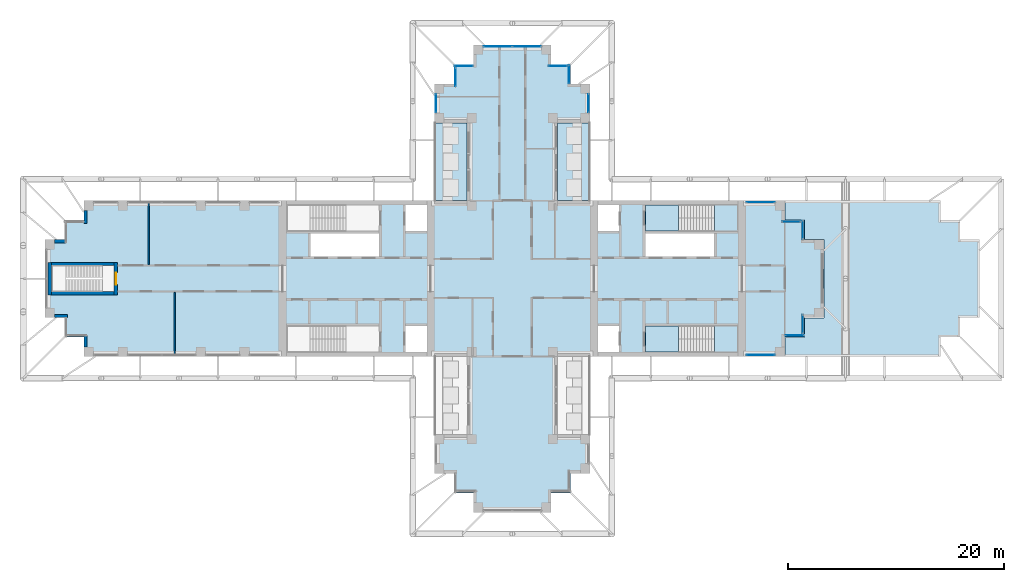
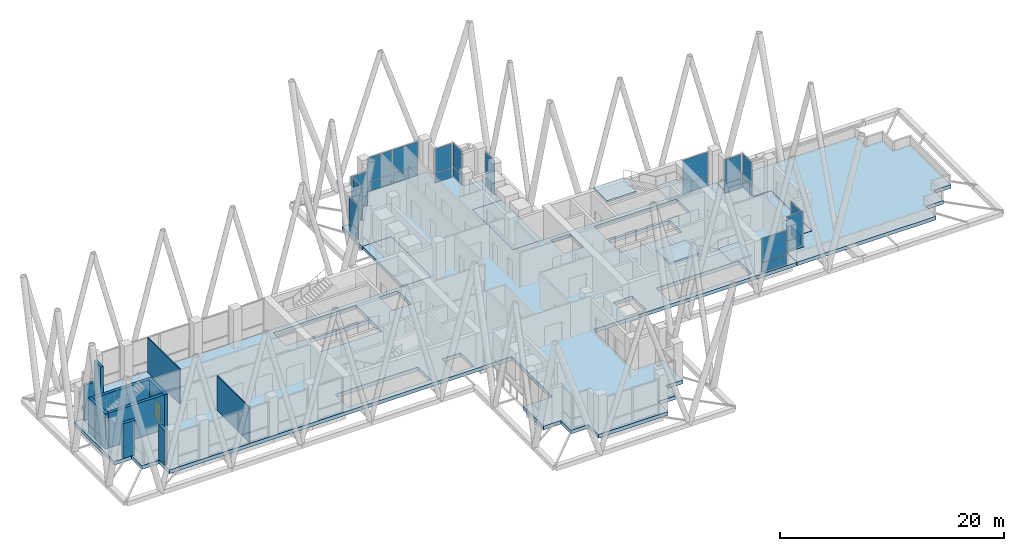
# One storey, part 10 of 19: 28 plates, 10 walls, 8 slabs, 1 door, 1 opening, 15 elements without a shape of their own.
"""IFC4 building model written with IfcOpenShell, lengths in metres."""

from ifc_helpers import new_model, si_unit, direction, frame, frame_2d, origin, origin_2d, place, context, subcontext, project, spatial, polyline, rectangle, outline, extrude, material, layer, layer_set, type_object, element, fill, aggregate, save


model = new_model("IFC4")

# Units and contexts
model_context = context("Model", 3, precision=1e-05, world=origin(), true_north=direction((0.0, 1.0)))
body_context = subcontext(model_context, "Body", "Model", "MODEL_VIEW")
ifc_project = project(units=[si_unit("LENGTHUNIT", "METRE"), si_unit("AREAUNIT", "SQUARE_METRE"), si_unit("VOLUMEUNIT", "CUBIC_METRE"), si_unit("PLANEANGLEUNIT", "RADIAN"), si_unit("MASSUNIT", "GRAM", prefix="KILO")], contexts=[model_context])

# Site, building, storey
site_placement = place(None, origin())
site = spatial("IfcSite", under=ifc_project, at=site_placement, CompositionType="ELEMENT")
building_placement = place(site_placement, origin())
building = spatial("IfcBuilding", under=site, at=building_placement, Name="Fustian Cross Tower", CompositionType="ELEMENT")
storey_placement = place(building_placement, frame((0.0, 0.0, 166.5)))
storey = spatial("IfcBuildingStorey", under=building, at=storey_placement, Name="L52", CompositionType="ELEMENT", Elevation=166.5)

# Slabs
ifc_material_1 = material(Name="Concrete C40/50", Category="concrete")
ifc_layer_1 = layer(ifc_material_1, 0.300048828125)
ifc_layer_set_1 = layer_set([ifc_layer_1], Name="Concrete C40/50")
slab_type_1 = type_object("IfcSlabType", Name="BS1 BALCONY SLAB 300", PredefinedType="FLOOR", material=ifc_layer_set_1)
slab_1_placement = place(storey_placement, frame((0.0, 0.0, -0.300048828125)))
element("IfcSlab", 1, at=slab_1_placement, inside=storey, type_object=slab_type_1, Name="Balcony slab", PredefinedType="FLOOR", context=body_context, shape_type="SweptSolid", body=[
    extrude(outline(polyline([(4.199951171875, 7.199951171875), (7.199951171875, 7.199951171875), (7.199951171875, 14.39990234375), (4.199951171875, 14.39990234375), (4.199951171875, 7.199951171875)])), origin(), (0.0, 0.0, 1.0), 0.300048828125),
])
slab_2_placement = place(storey_placement, frame((0.0, 0.0, -0.300048828125)))
element("IfcSlab", 2, at=slab_2_placement, inside=storey, type_object=slab_type_1, Name="Balcony slab", PredefinedType="FLOOR", context=body_context, shape_type="SweptSolid", body=[
    extrude(outline(polyline([(-7.199951171875, 7.199951171875), (-4.199951171875, 7.199951171875), (-4.199951171875, 14.39990234375), (-7.199951171875, 14.39990234375), (-7.199951171875, 7.199951171875)])), origin(), (0.0, 0.0, 1.0), 0.300048828125),
])

# Curtain wall, plates
ifc_material_2 = material(Name="Dark anodised aluminium and double glazing", Category="aluminium")
curtain_wall_type = type_object("IfcCurtainWallType", Name="CW1 LOUNGE CURTAIN WALL", PredefinedType="NOTDEFINED", material=ifc_material_2)
curtain_wall_1_placement = place(storey_placement, origin())
curtain_wall_1 = element("IfcCurtainWall", 3, at=curtain_wall_1_placement, inside=storey, type_object=curtain_wall_type, Name="Curtain wall", PredefinedType="NOTDEFINED")
ifc_material_3 = material(Name="Double glazed unit")
ifc_layer_2 = layer(ifc_material_3, 0.028076171875)
ifc_layer_set_2 = layer_set([ifc_layer_2], Name="Double glazed unit")
plate_type = type_object("IfcPlateType", Name="CW1 PANEL IGU 28", PredefinedType="CURTAIN_PANEL", material=ifc_layer_set_2)
plate_1_placement = place(storey_placement, frame((22.949951171875, -7.050048828125, 0.06005859375), z_axis=(0.0, 0.0, 1.0), x_axis=(1.0, 0.0, 0.0)))
plate_1 = element("IfcPlate", 4, at=plate_1_placement, type_object=plate_type, Name="CW1 panel 1.1", PredefinedType="CURTAIN_PANEL", context=body_context, shape_type="SweptSolid", body=[
    extrude(rectangle(XDim=2.580078125, YDim=0.028076171875, at=origin_2d()), origin(), (0.0, 0.0, 1.0), 1.010009765625),
])
plate_2_placement = place(storey_placement, frame((22.949951171875, -7.050048828125, 1.1298828125), z_axis=(0.0, 0.0, 1.0), x_axis=(1.0, 0.0, 0.0)))
plate_2 = element("IfcPlate", 5, at=plate_2_placement, type_object=plate_type, Name="CW1 panel 1.2", PredefinedType="CURTAIN_PANEL", context=body_context, shape_type="SweptSolid", body=[
    extrude(rectangle(XDim=2.580078125, YDim=0.028076171875, at=origin_2d()), origin(), (0.0, 0.0, 1.0), 2.610107421875),
])
aggregate(curtain_wall_1, [plate_1, plate_2])

curtain_wall_2_placement = place(storey_placement, origin())
curtain_wall_2 = element("IfcCurtainWall", 6, at=curtain_wall_2_placement, inside=storey, type_object=curtain_wall_type, Name="Curtain wall", PredefinedType="NOTDEFINED")
plate_3_placement = place(storey_placement, frame((26.10009765625, -5.25, 0.06005859375), z_axis=(0.0, 0.0, 1.0), x_axis=(1.0, 0.0, 0.0)))
plate_3 = element("IfcPlate", 7, at=plate_3_placement, type_object=plate_type, Name="CW1 panel 1.1", PredefinedType="CURTAIN_PANEL", context=body_context, shape_type="SweptSolid", body=[
    extrude(rectangle(XDim=1.679931640625, YDim=0.028076171875, at=origin_2d()), origin(), (0.0, 0.0, 1.0), 1.010009765625),
])
plate_4_placement = place(storey_placement, frame((26.10009765625, -5.25, 1.1298828125), z_axis=(0.0, 0.0, 1.0), x_axis=(1.0, 0.0, 0.0)))
plate_4 = element("IfcPlate", 8, at=plate_4_placement, type_object=plate_type, Name="CW1 panel 1.2", PredefinedType="CURTAIN_PANEL", context=body_context, shape_type="SweptSolid", body=[
    extrude(rectangle(XDim=1.679931640625, YDim=0.028076171875, at=origin_2d()), origin(), (0.0, 0.0, 1.0), 2.610107421875),
])
aggregate(curtain_wall_2, [plate_3, plate_4])

curtain_wall_3_placement = place(storey_placement, origin())
curtain_wall_3 = element("IfcCurtainWall", 9, at=curtain_wall_3_placement, inside=storey, type_object=curtain_wall_type, Name="Curtain wall", PredefinedType="NOTDEFINED")
plate_5_placement = place(storey_placement, frame((26.85009765625, -4.199951171875, 0.06005859375), z_axis=(0.0, 0.0, 1.0), x_axis=(0.0, 1.0, 0.0)))
plate_5 = element("IfcPlate", 10, at=plate_5_placement, type_object=plate_type, Name="CW1 panel 1.1", PredefinedType="CURTAIN_PANEL", context=body_context, shape_type="SweptSolid", body=[
    extrude(rectangle(XDim=1.679931640625, YDim=0.028076171875, at=origin_2d()), origin(), (0.0, 0.0, 1.0), 1.010009765625),
])
plate_6_placement = place(storey_placement, frame((26.85009765625, -4.199951171875, 1.1298828125), z_axis=(0.0, 0.0, 1.0), x_axis=(0.0, 1.0, 0.0)))
plate_6 = element("IfcPlate", 11, at=plate_6_placement, type_object=plate_type, Name="CW1 panel 1.2", PredefinedType="CURTAIN_PANEL", context=body_context, shape_type="SweptSolid", body=[
    extrude(rectangle(XDim=1.679931640625, YDim=0.028076171875, at=origin_2d()), origin(), (0.0, 0.0, 1.0), 2.610107421875),
])
aggregate(curtain_wall_3, [plate_5, plate_6])

curtain_wall_4_placement = place(storey_placement, origin())
curtain_wall_4 = element("IfcCurtainWall", 12, at=curtain_wall_4_placement, inside=storey, type_object=curtain_wall_type, Name="Curtain wall", PredefinedType="NOTDEFINED")
plate_7_placement = place(storey_placement, frame((26.85009765625, 4.5, 0.06005859375), z_axis=(0.0, 0.0, 1.0), x_axis=(0.0, 1.0, 0.0)))
plate_7 = element("IfcPlate", 13, at=plate_7_placement, type_object=plate_type, Name="CW1 panel 1.1", PredefinedType="CURTAIN_PANEL", context=body_context, shape_type="SweptSolid", body=[
    extrude(rectangle(XDim=1.679931640625, YDim=0.028076171875, at=origin_2d()), origin(), (0.0, 0.0, 1.0), 1.010009765625),
])
plate_8_placement = place(storey_placement, frame((26.85009765625, 4.5, 1.1298828125), z_axis=(0.0, 0.0, 1.0), x_axis=(0.0, 1.0, 0.0)))
plate_8 = element("IfcPlate", 14, at=plate_8_placement, type_object=plate_type, Name="CW1 panel 1.2", PredefinedType="CURTAIN_PANEL", context=body_context, shape_type="SweptSolid", body=[
    extrude(rectangle(XDim=1.679931640625, YDim=0.028076171875, at=origin_2d()), origin(), (0.0, 0.0, 1.0), 2.610107421875),
])
aggregate(curtain_wall_4, [plate_7, plate_8])

curtain_wall_5_placement = place(storey_placement, origin())
curtain_wall_5 = element("IfcCurtainWall", 15, at=curtain_wall_5_placement, inside=storey, type_object=curtain_wall_type, Name="Curtain wall", PredefinedType="NOTDEFINED")
plate_9_placement = place(storey_placement, frame((25.800048828125, 5.25, 0.06005859375), z_axis=(0.0, 0.0, 1.0), x_axis=(-1.0, 0.0, 0.0)))
plate_9 = element("IfcPlate", 16, at=plate_9_placement, type_object=plate_type, Name="CW1 panel 1.1", PredefinedType="CURTAIN_PANEL", context=body_context, shape_type="SweptSolid", body=[
    extrude(rectangle(XDim=1.679931640625, YDim=0.028076171875, at=origin_2d()), origin(), (0.0, 0.0, 1.0), 1.010009765625),
])
plate_10_placement = place(storey_placement, frame((25.800048828125, 5.25, 1.1298828125), z_axis=(0.0, 0.0, 1.0), x_axis=(-1.0, 0.0, 0.0)))
plate_10 = element("IfcPlate", 17, at=plate_10_placement, type_object=plate_type, Name="CW1 panel 1.2", PredefinedType="CURTAIN_PANEL", context=body_context, shape_type="SweptSolid", body=[
    extrude(rectangle(XDim=1.679931640625, YDim=0.028076171875, at=origin_2d()), origin(), (0.0, 0.0, 1.0), 2.610107421875),
])
aggregate(curtain_wall_5, [plate_9, plate_10])

curtain_wall_6_placement = place(storey_placement, origin())
curtain_wall_6 = element("IfcCurtainWall", 18, at=curtain_wall_6_placement, inside=storey, type_object=curtain_wall_type, Name="Curtain wall", PredefinedType="NOTDEFINED")
plate_11_placement = place(storey_placement, frame((22.949951171875, 7.050048828125, 0.06005859375), z_axis=(0.0, 0.0, 1.0), x_axis=(-1.0, 0.0, 0.0)))
plate_11 = element("IfcPlate", 19, at=plate_11_placement, type_object=plate_type, Name="CW1 panel 1.1", PredefinedType="CURTAIN_PANEL", context=body_context, shape_type="SweptSolid", body=[
    extrude(rectangle(XDim=2.580078125, YDim=0.028076171875, at=origin_2d()), origin(), (0.0, 0.0, 1.0), 1.010009765625),
])
plate_12_placement = place(storey_placement, frame((22.949951171875, 7.050048828125, 1.1298828125), z_axis=(0.0, 0.0, 1.0), x_axis=(-1.0, 0.0, 0.0)))
plate_12 = element("IfcPlate", 20, at=plate_12_placement, type_object=plate_type, Name="CW1 panel 1.2", PredefinedType="CURTAIN_PANEL", context=body_context, shape_type="SweptSolid", body=[
    extrude(rectangle(XDim=2.580078125, YDim=0.028076171875, at=origin_2d()), origin(), (0.0, 0.0, 1.0), 2.610107421875),
])
aggregate(curtain_wall_6, [plate_11, plate_12])

curtain_wall_7_placement = place(storey_placement, origin())
curtain_wall_7 = element("IfcCurtainWall", 21, at=curtain_wall_7_placement, inside=storey, type_object=curtain_wall_type, Name="Curtain wall", PredefinedType="NOTDEFINED")
plate_13_placement = place(storey_placement, frame((7.050048828125, 16.199951171875, 0.06005859375), z_axis=(0.0, 0.0, 1.0), x_axis=(0.0, 1.0, 0.0)))
plate_13 = element("IfcPlate", 22, at=plate_13_placement, type_object=plate_type, Name="CW1 panel 1.1", PredefinedType="CURTAIN_PANEL", context=body_context, shape_type="SweptSolid", body=[
    extrude(rectangle(XDim=1.679931640625, YDim=0.028076171875, at=origin_2d()), origin(), (0.0, 0.0, 1.0), 1.010009765625),
])
plate_14_placement = place(storey_placement, frame((7.050048828125, 16.199951171875, 1.1298828125), z_axis=(0.0, 0.0, 1.0), x_axis=(0.0, 1.0, 0.0)))
plate_14 = element("IfcPlate", 23, at=plate_14_placement, type_object=plate_type, Name="CW1 panel 1.2", PredefinedType="CURTAIN_PANEL", context=body_context, shape_type="SweptSolid", body=[
    extrude(rectangle(XDim=1.679931640625, YDim=0.028076171875, at=origin_2d()), origin(), (0.0, 0.0, 1.0), 2.610107421875),
])
aggregate(curtain_wall_7, [plate_13, plate_14])

curtain_wall_8_placement = place(storey_placement, origin())
curtain_wall_8 = element("IfcCurtainWall", 24, at=curtain_wall_8_placement, inside=storey, type_object=curtain_wall_type, Name="Curtain wall", PredefinedType="NOTDEFINED")
plate_15_placement = place(storey_placement, frame((5.25, 18.89990234375, 0.06005859375), z_axis=(0.0, 0.0, 1.0), x_axis=(0.0, 1.0, 0.0)))
plate_15 = element("IfcPlate", 25, at=plate_15_placement, type_object=plate_type, Name="CW1 panel 1.1", PredefinedType="CURTAIN_PANEL", context=body_context, shape_type="SweptSolid", body=[
    extrude(rectangle(XDim=1.679931640625, YDim=0.028076171875, at=origin_2d()), origin(), (0.0, 0.0, 1.0), 1.010009765625),
])
plate_16_placement = place(storey_placement, frame((5.25, 18.89990234375, 1.1298828125), z_axis=(0.0, 0.0, 1.0), x_axis=(0.0, 1.0, 0.0)))
plate_16 = element("IfcPlate", 26, at=plate_16_placement, type_object=plate_type, Name="CW1 panel 1.2", PredefinedType="CURTAIN_PANEL", context=body_context, shape_type="SweptSolid", body=[
    extrude(rectangle(XDim=1.679931640625, YDim=0.028076171875, at=origin_2d()), origin(), (0.0, 0.0, 1.0), 2.610107421875),
])
aggregate(curtain_wall_8, [plate_15, plate_16])

curtain_wall_9_placement = place(storey_placement, origin())
curtain_wall_9 = element("IfcCurtainWall", 27, at=curtain_wall_9_placement, inside=storey, type_object=curtain_wall_type, Name="Curtain wall", PredefinedType="NOTDEFINED")
plate_17_placement = place(storey_placement, frame((4.199951171875, 19.64990234375, 0.06005859375), z_axis=(0.0, 0.0, 1.0), x_axis=(-1.0, 0.0, 0.0)))
plate_17 = element("IfcPlate", 28, at=plate_17_placement, type_object=plate_type, Name="CW1 panel 1.1", PredefinedType="CURTAIN_PANEL", context=body_context, shape_type="SweptSolid", body=[
    extrude(rectangle(XDim=1.679931640625, YDim=0.028076171875, at=origin_2d()), origin(), (0.0, 0.0, 1.0), 1.010009765625),
])
plate_18_placement = place(storey_placement, frame((4.199951171875, 19.64990234375, 1.1298828125), z_axis=(0.0, 0.0, 1.0), x_axis=(-1.0, 0.0, 0.0)))
plate_18 = element("IfcPlate", 29, at=plate_18_placement, type_object=plate_type, Name="CW1 panel 1.2", PredefinedType="CURTAIN_PANEL", context=body_context, shape_type="SweptSolid", body=[
    extrude(rectangle(XDim=1.679931640625, YDim=0.028076171875, at=origin_2d()), origin(), (0.0, 0.0, 1.0), 2.610107421875),
])
aggregate(curtain_wall_9, [plate_17, plate_18])

curtain_wall_10_placement = place(storey_placement, origin())
curtain_wall_10 = element("IfcCurtainWall", 30, at=curtain_wall_10_placement, inside=storey, type_object=curtain_wall_type, Name="Curtain wall", PredefinedType="NOTDEFINED")
plate_19_placement = place(storey_placement, frame((1.3349609375, 21.449951171875, 0.06005859375), z_axis=(0.0, 0.0, 1.0), x_axis=(-1.0, 0.0, 0.0)))
plate_19 = element("IfcPlate", 31, at=plate_19_placement, type_object=plate_type, Name="CW1 panel 1.1", PredefinedType="CURTAIN_PANEL", context=body_context, shape_type="SweptSolid", body=[
    extrude(rectangle(XDim=2.610107421875, YDim=0.028076171875, at=origin_2d()), origin(), (0.0, 0.0, 1.0), 1.010009765625),
])
plate_20_placement = place(storey_placement, frame((1.3349609375, 21.449951171875, 1.1298828125), z_axis=(0.0, 0.0, 1.0), x_axis=(-1.0, 0.0, 0.0)))
plate_20 = element("IfcPlate", 32, at=plate_20_placement, type_object=plate_type, Name="CW1 panel 1.2", PredefinedType="CURTAIN_PANEL", context=body_context, shape_type="SweptSolid", body=[
    extrude(rectangle(XDim=2.610107421875, YDim=0.028076171875, at=origin_2d()), origin(), (0.0, 0.0, 1.0), 2.610107421875),
])
plate_21_placement = place(storey_placement, frame((-1.3349609375, 21.449951171875, 0.06005859375), z_axis=(0.0, 0.0, 1.0), x_axis=(-1.0, 0.0, 0.0)))
plate_21 = element("IfcPlate", 33, at=plate_21_placement, type_object=plate_type, Name="CW1 panel 2.1", PredefinedType="CURTAIN_PANEL", context=body_context, shape_type="SweptSolid", body=[
    extrude(rectangle(XDim=2.610107421875, YDim=0.028076171875, at=origin_2d()), origin(), (0.0, 0.0, 1.0), 1.010009765625),
])
plate_22_placement = place(storey_placement, frame((-1.3349609375, 21.449951171875, 1.1298828125), z_axis=(0.0, 0.0, 1.0), x_axis=(-1.0, 0.0, 0.0)))
plate_22 = element("IfcPlate", 34, at=plate_22_placement, type_object=plate_type, Name="CW1 panel 2.2", PredefinedType="CURTAIN_PANEL", context=body_context, shape_type="SweptSolid", body=[
    extrude(rectangle(XDim=2.610107421875, YDim=0.028076171875, at=origin_2d()), origin(), (0.0, 0.0, 1.0), 2.610107421875),
])
aggregate(curtain_wall_10, [plate_19, plate_20, plate_21, plate_22])

curtain_wall_11_placement = place(storey_placement, origin())
curtain_wall_11 = element("IfcCurtainWall", 35, at=curtain_wall_11_placement, inside=storey, type_object=curtain_wall_type, Name="Curtain wall", PredefinedType="NOTDEFINED")
plate_23_placement = place(storey_placement, frame((-4.5, 19.64990234375, 0.06005859375), z_axis=(0.0, 0.0, 1.0), x_axis=(-1.0, 0.0, 0.0)))
plate_23 = element("IfcPlate", 36, at=plate_23_placement, type_object=plate_type, Name="CW1 panel 1.1", PredefinedType="CURTAIN_PANEL", context=body_context, shape_type="SweptSolid", body=[
    extrude(rectangle(XDim=1.679931640625, YDim=0.028076171875, at=origin_2d()), origin(), (0.0, 0.0, 1.0), 1.010009765625),
])
plate_24_placement = place(storey_placement, frame((-4.5, 19.64990234375, 1.1298828125), z_axis=(0.0, 0.0, 1.0), x_axis=(-1.0, 0.0, 0.0)))
plate_24 = element("IfcPlate", 37, at=plate_24_placement, type_object=plate_type, Name="CW1 panel 1.2", PredefinedType="CURTAIN_PANEL", context=body_context, shape_type="SweptSolid", body=[
    extrude(rectangle(XDim=1.679931640625, YDim=0.028076171875, at=origin_2d()), origin(), (0.0, 0.0, 1.0), 2.610107421875),
])
aggregate(curtain_wall_11, [plate_23, plate_24])

curtain_wall_12_placement = place(storey_placement, origin())
curtain_wall_12 = element("IfcCurtainWall", 38, at=curtain_wall_12_placement, inside=storey, type_object=curtain_wall_type, Name="Curtain wall", PredefinedType="NOTDEFINED")
plate_25_placement = place(storey_placement, frame((-5.25, 18.60009765625, 0.06005859375), z_axis=(0.0, 0.0, 1.0), x_axis=(0.0, -1.0, 0.0)))
plate_25 = element("IfcPlate", 39, at=plate_25_placement, type_object=plate_type, Name="CW1 panel 1.1", PredefinedType="CURTAIN_PANEL", context=body_context, shape_type="SweptSolid", body=[
    extrude(rectangle(XDim=1.679931640625, YDim=0.028076171875, at=origin_2d()), origin(), (0.0, 0.0, 1.0), 1.010009765625),
])
plate_26_placement = place(storey_placement, frame((-5.25, 18.60009765625, 1.1298828125), z_axis=(0.0, 0.0, 1.0), x_axis=(0.0, -1.0, 0.0)))
plate_26 = element("IfcPlate", 40, at=plate_26_placement, type_object=plate_type, Name="CW1 panel 1.2", PredefinedType="CURTAIN_PANEL", context=body_context, shape_type="SweptSolid", body=[
    extrude(rectangle(XDim=1.679931640625, YDim=0.028076171875, at=origin_2d()), origin(), (0.0, 0.0, 1.0), 2.610107421875),
])
aggregate(curtain_wall_12, [plate_25, plate_26])

curtain_wall_13_placement = place(storey_placement, origin())
curtain_wall_13 = element("IfcCurtainWall", 41, at=curtain_wall_13_placement, inside=storey, type_object=curtain_wall_type, Name="Curtain wall", PredefinedType="NOTDEFINED")
plate_27_placement = place(storey_placement, frame((-7.050048828125, 16.199951171875, 0.06005859375), z_axis=(0.0, 0.0, 1.0), x_axis=(0.0, -1.0, 0.0)))
plate_27 = element("IfcPlate", 42, at=plate_27_placement, type_object=plate_type, Name="CW1 panel 1.1", PredefinedType="CURTAIN_PANEL", context=body_context, shape_type="SweptSolid", body=[
    extrude(rectangle(XDim=1.679931640625, YDim=0.028076171875, at=origin_2d()), origin(), (0.0, 0.0, 1.0), 1.010009765625),
])
plate_28_placement = place(storey_placement, frame((-7.050048828125, 16.199951171875, 1.1298828125), z_axis=(0.0, 0.0, 1.0), x_axis=(0.0, -1.0, 0.0)))
plate_28 = element("IfcPlate", 43, at=plate_28_placement, type_object=plate_type, Name="CW1 panel 1.2", PredefinedType="CURTAIN_PANEL", context=body_context, shape_type="SweptSolid", body=[
    extrude(rectangle(XDim=1.679931640625, YDim=0.028076171875, at=origin_2d()), origin(), (0.0, 0.0, 1.0), 2.610107421875),
])
aggregate(curtain_wall_13, [plate_27, plate_28])

# Slab
ifc_material_4 = material(Name="Concrete C40/50", Category="concrete")
ifc_layer_3 = layer(ifc_material_4, 0.39990234375)
ifc_layer_set_3 = layer_set([ifc_layer_3], Name="Concrete C40/50")
slab_type_2 = type_object("IfcSlabType", Name="FLAT SLAB 400", PredefinedType="FLOOR", material=ifc_layer_set_3)
slab_3_placement = place(storey_placement, frame((0.0, 0.0, -0.39990234375)))
element("IfcSlab", 44, at=slab_3_placement, inside=storey, type_object=slab_type_2, Name="FLOOR SLAB L52-1", PredefinedType="FLOOR", context=body_context, shape_type="SweptSolid", body=[
    extrude(outline(polyline([(-5.39990234375, -19.800048828125), (-5.39990234375, -18.0), (-7.199951171875, -18.0), (-7.199951171875, -14.39990234375), (-4.199951171875, -14.39990234375), (-4.199951171875, -7.199951171875), (-39.60009765625, -7.199951171875), (-39.60009765625, -5.39990234375), (-41.39990234375, -5.39990234375), (-41.39990234375, -3.60009765625), (-43.199951171875, -3.60009765625), (-43.199951171875, 3.60009765625), (-41.39990234375, 3.60009765625), (-41.39990234375, 5.39990234375), (-39.60009765625, 5.39990234375), (-39.60009765625, 7.199951171875), (-4.199951171875, 7.199951171875), (-4.199951171875, 14.39990234375), (-7.199951171875, 14.39990234375), (-7.199951171875, 18.0), (-5.39990234375, 18.0), (-5.39990234375, 19.800048828125), (-3.60009765625, 19.800048828125), (-3.60009765625, 21.60009765625), (3.60009765625, 21.60009765625), (3.60009765625, 19.800048828125), (5.39990234375, 19.800048828125), (5.39990234375, 18.0), (7.199951171875, 18.0), (7.199951171875, 14.39990234375), (4.199951171875, 14.39990234375), (4.199951171875, 7.199951171875), (25.199951171875, 7.199951171875), (25.199951171875, 5.39990234375), (27.0, 5.39990234375), (27.0, 3.60009765625), (28.800048828125, 3.60009765625), (28.800048828125, -3.60009765625), (27.0, -3.60009765625), (27.0, -5.39990234375), (25.199951171875, -5.39990234375), (25.199951171875, -7.199951171875), (4.199951171875, -7.199951171875), (4.199951171875, -14.39990234375), (7.199951171875, -14.39990234375), (7.199951171875, -18.0), (5.39990234375, -18.0), (5.39990234375, -19.800048828125), (3.60009765625, -19.800048828125), (3.60009765625, -21.60009765625), (-3.60009765625, -21.60009765625), (-3.60009765625, -19.800048828125), (-5.39990234375, -19.800048828125)]), holes=[polyline([(7.89990234375, 4.39990234375), (9.85009765625, 4.39990234375), (9.85009765625, 6.800048828125), (7.89990234375, 6.800048828125), (7.89990234375, 4.39990234375)]), polyline([(7.89990234375, -4.39990234375), (7.89990234375, -6.800048828125), (9.85009765625, -6.800048828125), (9.85009765625, -4.39990234375), (7.89990234375, -4.39990234375)]), polyline([(-7.89990234375, 6.800048828125), (-9.85009765625, 6.800048828125), (-9.85009765625, 4.39990234375), (-7.89990234375, 4.39990234375), (-7.89990234375, 6.800048828125)]), polyline([(-7.89990234375, -6.800048828125), (-7.89990234375, -4.39990234375), (-9.85009765625, -4.39990234375), (-9.85009765625, -6.800048828125), (-7.89990234375, -6.800048828125)]), polyline([(12.300048828125, 2.050048828125), (18.64990234375, 2.050048828125), (18.64990234375, 4.14990234375), (12.300048828125, 4.14990234375), (12.300048828125, 2.050048828125)]), polyline([(-18.64990234375, 4.14990234375), (-18.64990234375, 2.050048828125), (-12.300048828125, 2.050048828125), (-12.300048828125, 4.14990234375), (-18.64990234375, 4.14990234375)]), polyline([(20.85009765625, 6.699951171875), (12.300048828125, 6.699951171875), (12.300048828125, 4.39990234375), (20.85009765625, 4.39990234375), (20.85009765625, 6.699951171875)]), polyline([(20.85009765625, -6.699951171875), (20.85009765625, -4.39990234375), (12.300048828125, -4.39990234375), (12.300048828125, -6.699951171875), (20.85009765625, -6.699951171875)]), polyline([(-20.85009765625, 4.39990234375), (-12.300048828125, 4.39990234375), (-12.300048828125, 6.699951171875), (-20.85009765625, 6.699951171875), (-20.85009765625, 4.39990234375)]), polyline([(-20.85009765625, -4.39990234375), (-20.85009765625, -6.699951171875), (-12.300048828125, -6.699951171875), (-12.300048828125, -4.39990234375), (-20.85009765625, -4.39990234375)]), polyline([(-36.800048828125, 1.199951171875), (-42.60009765625, 1.199951171875), (-42.60009765625, -1.199951171875), (-36.800048828125, -1.199951171875), (-36.800048828125, 1.199951171875)])]), origin(), (0.0, 0.0, 1.0), 0.39990234375),
])

# Stair, slabs
ifc_material_5 = material(Name="Concrete C50/60", Category="concrete")
stair_type = type_object("IfcStairType", Name="STAIR 1200 HALF TURN", PredefinedType="HALF_TURN_STAIR", material=ifc_material_5)
stair_1_placement = place(storey_placement, origin())
stair_1 = element("IfcStair", 45, at=stair_1_placement, inside=storey, type_object=stair_type, Name="Stair ST1", PredefinedType="HALF_TURN_STAIR")
ifc_material_6 = material(Name="Concrete C50/60", Category="concrete")
ifc_layer_4 = layer(ifc_material_6, 0.199951171875)
ifc_layer_set_4 = layer_set([ifc_layer_4], Name="Concrete C50/60")
slab_type_3 = type_object("IfcSlabType", Name="STAIR LANDING", PredefinedType="LANDING", material=ifc_layer_set_4)
slab_4_placement = place(storey_placement, frame((0.0, 0.0, 1.89990234375)))
slab_4 = element("IfcSlab", 46, at=slab_4_placement, type_object=slab_type_3, Name="ST1 landing 1", PredefinedType="LANDING", context=body_context, shape_type="SweptSolid", body=[
    extrude(outline(polyline([(18.7099609375, 4.39990234375), (20.85009765625, 4.39990234375), (20.85009765625, 6.800048828125), (18.7099609375, 6.800048828125), (18.7099609375, 4.39990234375)])), origin(), (0.0, 0.0, 1.0), 0.2001953125),
])
slab_5_placement = place(storey_placement, frame((0.0, 0.0, 4.0)))
slab_5 = element("IfcSlab", 47, at=slab_5_placement, type_object=slab_type_3, Name="ST1 landing 2", PredefinedType="LANDING", context=body_context, shape_type="SweptSolid", body=[
    extrude(outline(polyline([(12.300048828125, 4.39990234375), (15.35009765625, 4.39990234375), (15.35009765625, 6.800048828125), (12.300048828125, 6.800048828125), (12.300048828125, 4.39990234375)])), origin(), (0.0, 0.0, 1.0), 0.199951171875),
])
aggregate(stair_1, [slab_4, slab_5])

stair_2_placement = place(storey_placement, origin())
stair_2 = element("IfcStair", 48, at=stair_2_placement, inside=storey, type_object=stair_type, Name="Stair ST2", PredefinedType="HALF_TURN_STAIR")
slab_6_placement = place(storey_placement, frame((0.0, 0.0, 1.89990234375)))
slab_6 = element("IfcSlab", 49, at=slab_6_placement, type_object=slab_type_3, Name="ST2 landing 1", PredefinedType="LANDING", context=body_context, shape_type="SweptSolid", body=[
    extrude(outline(polyline([(18.7099609375, -4.39990234375), (20.85009765625, -4.39990234375), (20.85009765625, -6.800048828125), (18.7099609375, -6.800048828125), (18.7099609375, -4.39990234375)])), origin(), (0.0, 0.0, 1.0), 0.2001953125),
])
slab_7_placement = place(storey_placement, frame((0.0, 0.0, 4.0)))
slab_7 = element("IfcSlab", 50, at=slab_7_placement, type_object=slab_type_3, Name="ST2 landing 2", PredefinedType="LANDING", context=body_context, shape_type="SweptSolid", body=[
    extrude(outline(polyline([(12.300048828125, -4.39990234375), (15.35009765625, -4.39990234375), (15.35009765625, -6.800048828125), (12.300048828125, -6.800048828125), (12.300048828125, -4.39990234375)])), origin(), (0.0, 0.0, 1.0), 0.199951171875),
])
aggregate(stair_2, [slab_6, slab_7])

# Slab
ifc_material_7 = material(Name="Concrete C40/50", Category="concrete")
ifc_layer_5 = layer(ifc_material_7, 0.39990234375)
ifc_layer_set_5 = layer_set([ifc_layer_5], Name="Concrete C40/50")
slab_type_4 = type_object("IfcSlabType", Name="TERRACE SLAB 400", PredefinedType="ROOF", material=ifc_layer_set_5)
slab_8_placement = place(storey_placement, frame((0.0, 0.0, -0.39990234375)))
element("IfcSlab", 51, at=slab_8_placement, inside=storey, type_object=slab_type_4, Name="Terrace slab L52 1", PredefinedType="ROOF", context=body_context, shape_type="SweptSolid", body=[
    extrude(outline(polyline([(39.60009765625, 5.39990234375), (39.60009765625, 7.199951171875), (25.22998046875, 7.199951171875), (25.22998046875, 5.429931640625), (27.030029296875, 5.429931640625), (27.030029296875, 3.6298828125), (28.830078125, 3.6298828125), (28.830078125, -3.6298828125), (27.030029296875, -3.6298828125), (27.030029296875, -5.429931640625), (25.22998046875, -5.429931640625), (25.22998046875, -7.199951171875), (39.60009765625, -7.199951171875), (39.60009765625, -5.39990234375), (41.39990234375, -5.39990234375), (41.39990234375, -3.60009765625), (43.199951171875, -3.60009765625), (43.199951171875, 3.60009765625), (41.39990234375, 3.60009765625), (41.39990234375, 5.39990234375), (39.60009765625, 5.39990234375)])), origin(), (0.0, 0.0, 1.0), 0.39990234375),
])

# Walls
ifc_material_8 = material(Name="Plasterboard on steel stud", Category="steel")
ifc_layer_6 = layer(ifc_material_8, 0.10009765625)
ifc_layer_set_6 = layer_set([ifc_layer_6], Name="Plasterboard on steel stud")
wall_type_1 = type_object("IfcWallType", Name="PARTITION 100 STUD", PredefinedType="PARTITIONING", material=ifc_layer_set_6)
for number, where, z_axis, x_axis, name in (
    (52, (-33.60009765625, 1.27490234375, 0.0), (0.0, 0.0, 1.0), (0.0, 1.0, 0.0), "Partition 3"),
    (53, (-31.199951171875, -7.02001953125, 0.0), (0.0, 0.0, 1.0), (0.0, 1.0, 0.0), "Partition 4"),
):
    element("IfcWall", number, at=place(storey_placement, frame(where, z_axis=z_axis, x_axis=x_axis)), inside=storey, type_object=wall_type_1, Name=name, PredefinedType="PARTITIONING", context=body_context, shape_type="SweptSolid", body=[
        extrude(rectangle(XDim=5.7451171875, YDim=0.10009765625, at=frame_2d((2.87255859375, 0.0))), origin(), (0.0, 0.0, 1.0), 3.800048828125),
    ])

# Wall, opening, door
ifc_material_9 = material(Name="Concrete C50/60", Category="concrete")
ifc_layer_7 = layer(ifc_material_9, 0.300048828125)
ifc_layer_set_7 = layer_set([ifc_layer_7], Name="Concrete C50/60")
wall_type_2 = type_object("IfcWallType", Name="STAIR ENCLOSURE WALL 300 C50/60", PredefinedType="SHEAR", material=ifc_layer_set_7)
wall_1_placement = place(storey_placement, frame((-36.64990234375, -1.5, 0.0), z_axis=(0.0, 0.0, 1.0), x_axis=(0.0, 1.0, 0.0)))
wall_1 = element("IfcWall", 54, at=wall_1_placement, inside=storey, type_object=wall_type_2, Name="Stair enclosure wall", PredefinedType="SHEAR", context=body_context, shape_type="SweptSolid", body=[
    extrude(rectangle(XDim=3.0, YDim=0.300048828125, at=frame_2d((1.5, 0.0))), origin(), (0.0, 0.0, 1.0), 3.800048828125),
])
opening_placement = place(wall_1_placement, frame((0.949951171875, 0.0, 0.0)))
opening = element("IfcOpeningElement", 55, at=opening_placement, cuts=wall_1, Name="Opening CD-21-35", PredefinedType="OPENING", context=body_context, shape_type="SweptSolid", body=[
    extrude(rectangle(XDim=1.10009765625, YDim=2.10009765625, at=frame_2d((0.550048828125, 1.050048828125))), frame((0.0, 0.159912109375, 0.0), z_axis=(0.0, -1.0, 0.0), x_axis=(1.0, 0.0, 0.0)), (0.0, 0.0, 1.0), 0.320068359375),
])
ifc_material_10 = material(Name="Steel", Category="steel")
door_type = type_object("IfcDoorType", Name="FIRE DOOR FD60S 1100X2100", OperationType="SINGLE_SWING_LEFT", PredefinedType="DOOR", material=ifc_material_10)
door_placement = place(opening_placement, origin())
door = element("IfcDoor", 56, at=door_placement, inside=storey, type_object=door_type, Name="Core door CD-21-35", OperationType="SINGLE_SWING_LEFT", OverallHeight=2.10009765625, OverallWidth=1.10009765625, PredefinedType="DOOR", context=body_context, shape_type="SweptSolid", body=[
    extrude(rectangle(XDim=1.10009765625, YDim=2.10009765625, at=frame_2d((0.550048828125, 1.050048828125))), frame((0.0, 0.02490234375, 0.0), z_axis=(0.0, -1.0, 0.0), x_axis=(1.0, 0.0, 0.0)), (0.0, 0.0, 1.0), 0.050048828125),
])
fill(opening, door)

# Walls
wall_2_placement = place(storey_placement, frame((-42.75, -1.5, 0.0), z_axis=(0.0, 0.0, 1.0), x_axis=(0.0, 1.0, 0.0)))
element("IfcWall", 57, at=wall_2_placement, inside=storey, type_object=wall_type_2, Name="Stair enclosure wall", PredefinedType="SHEAR", context=body_context, shape_type="SweptSolid", body=[
    extrude(rectangle(XDim=3.0, YDim=0.300048828125, at=frame_2d((1.5, 0.0))), origin(), (0.0, 0.0, 1.0), 3.800048828125),
])
for number, where, z_axis, x_axis, name in (
    (58, (-36.800048828125, -1.35009765625, 0.0), (0.0, 0.0, 1.0), (-1.0, 0.0, 0.0), "Stair enclosure wall"),
    (59, (-36.800048828125, 1.35009765625, 0.0), (0.0, 0.0, 1.0), (-1.0, 0.0, 0.0), "Stair enclosure wall"),
):
    element("IfcWall", number, at=place(storey_placement, frame(where, z_axis=z_axis, x_axis=x_axis)), inside=storey, type_object=wall_type_2, Name=name, PredefinedType="SHEAR", context=body_context, shape_type="SweptSolid", body=[
        extrude(rectangle(XDim=5.800048828125, YDim=0.300048828125, at=frame_2d((2.89990234375, 0.0))), origin(), (0.0, 0.0, 1.0), 3.800048828125),
    ])
ifc_material_11 = material(Name="Dark aluminium cladding on insulated backing wall", Category="aluminium")
ifc_layer_8 = layer(ifc_material_11, 0.300048828125)
ifc_layer_set_8 = layer_set([ifc_layer_8], Name="Dark aluminium cladding on insulated backing wall")
wall_type_3 = type_object("IfcWallType", Name="XW1 EXTERNAL WALL 300", PredefinedType="SOLIDWALL", material=ifc_layer_set_8)
wall_3_placement = place(storey_placement, frame((-39.449951171875, 6.300048828125, 0.0), z_axis=(0.0, 0.0, 1.0), x_axis=(0.0, -1.0, 0.0)))
element("IfcWall", 60, at=wall_3_placement, inside=storey, type_object=wall_type_3, Name="External wall", PredefinedType="SOLIDWALL", context=body_context, shape_type="SweptSolid", body=[
    extrude(rectangle(XDim=1.199951171875, YDim=0.300048828125, at=frame_2d((0.60009765625, 0.0))), origin(), (0.0, 0.0, 1.0), 3.800048828125),
])
wall_4_placement = place(storey_placement, frame((-41.280029296875, 3.449951171875, 0.0), z_axis=(0.0, 0.0, 1.0), x_axis=(-1.0, 0.0, 0.0)))
element("IfcWall", 61, at=wall_4_placement, inside=storey, type_object=wall_type_3, Name="External wall", PredefinedType="SOLIDWALL", context=body_context, shape_type="SweptSolid", body=[
    extrude(rectangle(XDim=1.02001953125, YDim=0.300048828125, at=frame_2d((0.510009765625, 0.0))), origin(), (0.0, 0.0, 1.0), 3.800048828125),
])
wall_5_placement = place(storey_placement, frame((-42.300048828125, -3.449951171875, 0.0), z_axis=(0.0, 0.0, 1.0), x_axis=(1.0, 0.0, 0.0)))
element("IfcWall", 62, at=wall_5_placement, inside=storey, type_object=wall_type_3, Name="External wall", PredefinedType="SOLIDWALL", context=body_context, shape_type="SweptSolid", body=[
    extrude(rectangle(XDim=1.199951171875, YDim=0.300048828125, at=frame_2d((0.60009765625, 0.0))), origin(), (0.0, 0.0, 1.0), 3.800048828125),
])
wall_6_placement = place(storey_placement, frame((-39.449951171875, -5.280029296875, 0.0), z_axis=(0.0, 0.0, 1.0), x_axis=(0.0, -1.0, 0.0)))
element("IfcWall", 63, at=wall_6_placement, inside=storey, type_object=wall_type_3, Name="External wall", PredefinedType="SOLIDWALL", context=body_context, shape_type="SweptSolid", body=[
    extrude(rectangle(XDim=1.02001953125, YDim=0.300048828125, at=frame_2d((0.510009765625, 0.0))), origin(), (0.0, 0.0, 1.0), 3.800048828125),
])

save(model, "model.ifc")
